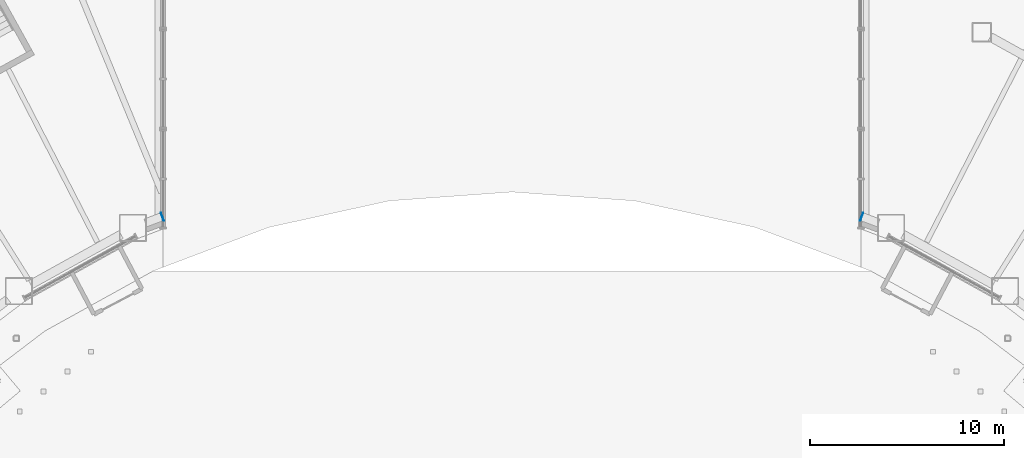
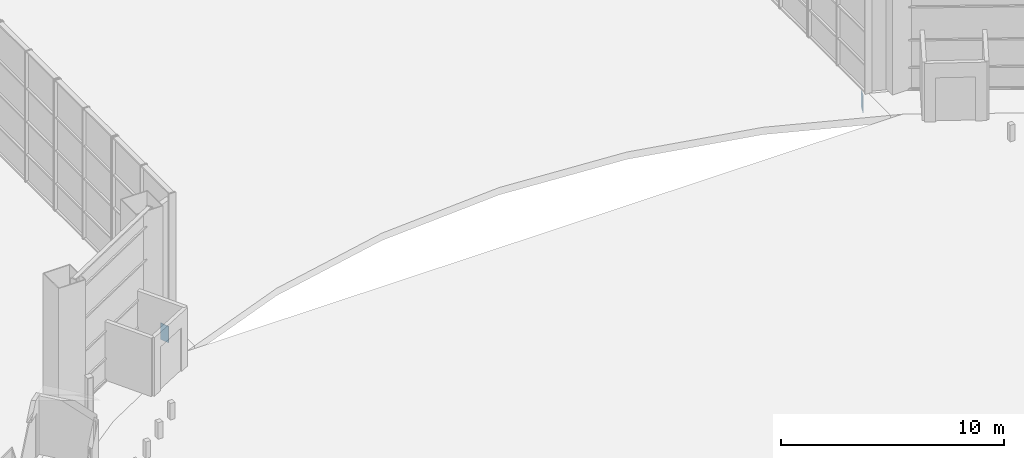
# One storey, part 37 of 45: 2 discrete accessories.
"""IFC4 building model written with IfcOpenShell, lengths in metres."""

import ifcopenshell
import ifcopenshell.guid

model = None  # the IFC model being written
_history = None  # IfcOwnerHistory: only IFC2X3 demands one
_inside = {}  # id of a spatial element -> (the spatial element, [elements in it])
_under = {}  # id of a project, library or spatial element -> (it, [spatial elements below it])
_declared = {}  # id of a project -> (the project, [libraries it declares])
_typed = {}  # id of a type object -> (the type object, [elements of that type])
_made_of = {}  # id of a material, layer set ... -> (it, [elements and type objects made of it])


def new_model(schema):
    """Start an empty IFC model of exactly this schema.

    Asked for "IFC4X3", IfcOpenShell would pick the latest addendum, in which some entities
    have other attributes; the version numbers below select the first issue.
    IFC2X3 requires an IfcOwnerHistory on every rooted entity: one is made here for all.
    """
    global model, _history
    if schema == "IFC4X3":
        model = ifcopenshell.file(schema_version=(4, 3, 0, 0))
    else:
        model = ifcopenshell.file(schema=schema)
    _inside.clear()
    _under.clear()
    _declared.clear()
    _typed.clear()
    _made_of.clear()
    _history = None
    if model.schema == "IFC2X3":
        org = make("IfcOrganization", Name="unknown")
        user = make(
            "IfcPersonAndOrganization",
            ThePerson=make("IfcPerson", FamilyName="unknown"),
            TheOrganization=org,
        )
        app = make(
            "IfcApplication",
            ApplicationDeveloper=org,
            Version="unknown",
            ApplicationFullName="unknown",
            ApplicationIdentifier="unknown",
        )
        _history = make(
            "IfcOwnerHistory",
            OwningUser=user,
            OwningApplication=app,
            ChangeAction="ADDED",
            CreationDate=0,
        )
    return model


def make(cls, **values):
    """One entity of the class cls with the attributes given. An attribute that is None is left unset."""
    return model.create_entity(
        cls, **{name: value for name, value in values.items() if value is not None}
    )


def rooted(cls, **values):
    """An entity with a GlobalId (a new one), such as an element, a storey or a relation."""
    return make(cls, GlobalId=ifcopenshell.guid.new(), OwnerHistory=_history, **values)


def si_unit(unit_type, name, prefix=None):
    """IfcSIUnit, for example si_unit("LENGTHUNIT", "METRE", prefix="MILLI")."""
    return make("IfcSIUnit", UnitType=unit_type, Prefix=prefix, Name=name)


def assignment(units):
    """IfcUnitAssignment: the units of a project."""
    return None if units is None else make("IfcUnitAssignment", Units=units)


def point(xyz):
    """IfcCartesianPoint."""
    return None if xyz is None else make("IfcCartesianPoint", Coordinates=xyz)


def direction(xyz):
    """IfcDirection."""
    return None if xyz is None else make("IfcDirection", DirectionRatios=xyz)


def frame(location, z_axis=None, x_axis=None):
    """IfcAxis2Placement3D, a coordinate frame: its origin and axes. An axis left out is left unset."""
    return make(
        "IfcAxis2Placement3D",
        Location=point(location),
        Axis=direction(z_axis),
        RefDirection=direction(x_axis),
    )


def frame_2d(location, x_axis=None):
    """IfcAxis2Placement2D, a coordinate frame in the plane: its origin and x axis."""
    return make(
        "IfcAxis2Placement2D", Location=point(location), RefDirection=direction(x_axis)
    )


def origin():
    """The frame at (0, 0, 0) with its axes left unset."""
    return frame((0.0, 0.0, 0.0))


def origin_2d():
    """The frame at (0, 0) in the plane with its x axis left unset."""
    return frame_2d((0.0, 0.0))


def place(relative_to, where):
    """IfcLocalPlacement: puts the frame where relative to a parent placement (None: the world)."""
    return make(
        "IfcLocalPlacement", PlacementRelTo=relative_to, RelativePlacement=where
    )


def context(
    kind, dimensions, precision=None, world=None, true_north=None, identifier=None
):
    """IfcGeometricRepresentationContext, for example the 3D "Model" context."""
    return make(
        "IfcGeometricRepresentationContext",
        ContextIdentifier=identifier,
        ContextType=kind,
        CoordinateSpaceDimension=dimensions,
        Precision=precision,
        WorldCoordinateSystem=world,
        TrueNorth=true_north,
    )


def subcontext(parent, identifier, kind, view, scale=None):
    """IfcGeometricRepresentationSubContext, for example "Body" below "Model"."""
    return make(
        "IfcGeometricRepresentationSubContext",
        ContextIdentifier=identifier,
        ContextType=kind,
        ParentContext=parent,
        TargetScale=scale,
        TargetView=view,
    )


def project(units=None, contexts=None):
    """IfcProject with its units and contexts."""
    return rooted(
        "IfcProject",
        Name="project",
        RepresentationContexts=contexts,
        UnitsInContext=assignment(units),
    )


def spatial(cls, under=None, at=None, **own):
    """A site, building, storey or space (cls), placed at a placement, below another one or the project."""
    s = rooted(cls, ObjectPlacement=at, **own)
    if under is not None:
        _under.setdefault(under.id(), (under, []))[1].append(s)
    return s


def profile(cls, at=None, kind="AREA", **sizes):
    """A parametric profile (cls). Its sizes go by their IFC names, for example OverallWidth=200.0."""
    return make(cls, ProfileType=kind, Position=at, **sizes)


def rectangle(**sizes):
    """IfcRectangleProfileDef."""
    return profile("IfcRectangleProfileDef", **sizes)


def extrude(swept, where, along, depth):
    """IfcExtrudedAreaSolid: the profile swept, set in the frame where, extruded along a direction by depth."""
    return make(
        "IfcExtrudedAreaSolid",
        SweptArea=swept,
        Position=where,
        ExtrudedDirection=direction(along),
        Depth=depth,
    )


def shape(context_of_items, identifier, shape_type, items):
    """IfcShapeRepresentation: the items that make up one representation, for example the "Body"."""
    return make(
        "IfcShapeRepresentation",
        ContextOfItems=context_of_items,
        RepresentationIdentifier=identifier,
        RepresentationType=shape_type,
        Items=items,
    )


def material(Name=None, Category=None):
    """IfcMaterial."""
    return make("IfcMaterial", Name=Name, Category=Category)


def made_of(thing, what):
    """Note that an element or type object is made of a material, layer set ...; save() writes the relation."""
    if what is not None:
        _made_of.setdefault(what.id(), (what, []))[1].append(thing)
    return thing


def type_object(cls, material=None, **own):
    """A type object (cls), such as IfcWallType, which elements share."""
    return made_of(rooted(cls, **own), material)


def element(
    cls,
    number,
    at=None,
    inside=None,
    cuts=None,
    type_object=None,
    material=None,
    context=None,
    identifier="Body",
    shape_type=None,
    held_by="IfcProductDefinitionShape",
    body=None,
    shapes=None,
    **own,
):
    """One element of the class cls, such as IfcWall. Its Tag is "e" and its number.

    at: its placement. inside: the storey or other place that contains it. cuts: it is an
    opening in that element (IfcRelVoidsElement). A single representation is given by context,
    identifier, shape_type and body (its items); several are given by shapes. held_by: the class
    of the entity that holds the representations. save() writes the other relations.
    """
    e = rooted(cls, Tag="e%d" % number, ObjectPlacement=at, **own)
    if body is not None:
        shapes = [shape(context, identifier, shape_type, body)]
    if shapes is not None:
        e.Representation = make(held_by, Representations=shapes)
    if inside is not None:
        _inside.setdefault(inside.id(), (inside, []))[1].append(e)
    if cuts is not None:
        rooted(
            "IfcRelVoidsElement", RelatingBuildingElement=cuts, RelatedOpeningElement=e
        )
    if type_object is not None:
        _typed.setdefault(type_object.id(), (type_object, []))[1].append(e)
    return made_of(e, material)


def aggregate(whole, parts):
    """IfcRelAggregates: a whole, such as a stair, and the parts it consists of."""
    return rooted("IfcRelAggregates", RelatingObject=whole, RelatedObjects=parts)


def save(model, path):
    """Write the relations noted so far, then the file.

    IfcRelAggregates (storeys below a building ...), IfcRelContainedInSpatialStructure (elements
    in a storey), IfcRelDefinesByType, IfcRelAssociatesMaterial and IfcRelDeclares: one each for
    every whole, place, type object, material and project.
    """
    for whole, parts in _under.values():
        aggregate(whole, parts)
    for where, things in _inside.values():
        rooted(
            "IfcRelContainedInSpatialStructure",
            RelatedElements=things,
            RelatingStructure=where,
        )
    for kind, things in _typed.values():
        rooted("IfcRelDefinesByType", RelatedObjects=things, RelatingType=kind)
    for what, things in _made_of.values():
        rooted("IfcRelAssociatesMaterial", RelatedObjects=things, RelatingMaterial=what)
    for by, libraries in _declared.values():
        rooted("IfcRelDeclares", RelatingContext=by, RelatedDefinitions=libraries)
    model.write(path)


model = new_model("IFC4")

# Units and contexts
model_context = context("Model", 3, precision=1e-05, world=origin(), true_north=direction((0.0, 1.0)))
body_context = subcontext(model_context, "Body", "Model", "MODEL_VIEW")
ifc_project = project(units=[si_unit("LENGTHUNIT", "METRE"), si_unit("AREAUNIT", "SQUARE_METRE"), si_unit("VOLUMEUNIT", "CUBIC_METRE"), si_unit("PLANEANGLEUNIT", "RADIAN"), si_unit("MASSUNIT", "GRAM", prefix="KILO")], contexts=[model_context])

# Site, building, storey
site_placement = place(None, origin())
site = spatial("IfcSite", under=ifc_project, at=site_placement, CompositionType="ELEMENT")
building_placement = place(site_placement, origin())
building = spatial("IfcBuilding", under=site, at=building_placement, Name="Tuul Gate Civic Tower", CompositionType="ELEMENT")
storey_placement = place(building_placement, origin())
storey = spatial("IfcBuildingStorey", under=building, at=storey_placement, Name="Level 00", CompositionType="ELEMENT", Elevation=0.0)

# Discrete accessories
ifc_material = material(Name="Steel S355", Category="steel")
discrete_accessory_type = type_object("IfcDiscreteAccessoryType", Name="End cap plate", PredefinedType="BRACKET", material=ifc_material)
for number, where, z_axis, x_axis, name in (
    (1, (-18.035888671875, -17.20751953125, -1.300048828125), (0.0, 0.0, 1.0), (0.93539666689, 0.353600163422, 0.0), "End cap plate"),
    (2, (18.035888671875, -17.20751953125, -1.300048828125), (0.0, 0.0, 1.0), (0.93539666689, -0.353600163422, 0.0), "End cap plate"),
):
    element("IfcDiscreteAccessory", number, at=place(storey_placement, frame(where, z_axis=z_axis, x_axis=x_axis)), inside=storey, type_object=discrete_accessory_type, Name=name, PredefinedType="BRACKET", context=body_context, shape_type="SweptSolid", body=[
        extrude(rectangle(XDim=0.030029296875, YDim=0.449951171875, at=origin_2d()), origin(), (0.0, 0.0, 1.0), 0.89990234375),
    ])

save(model, "model.ifc")
